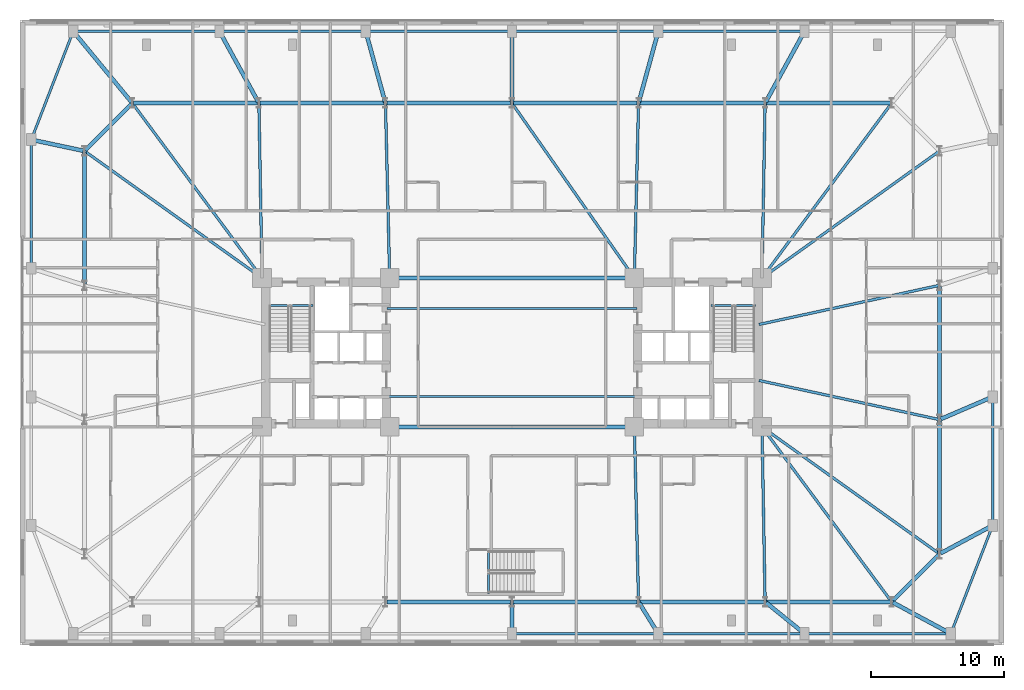
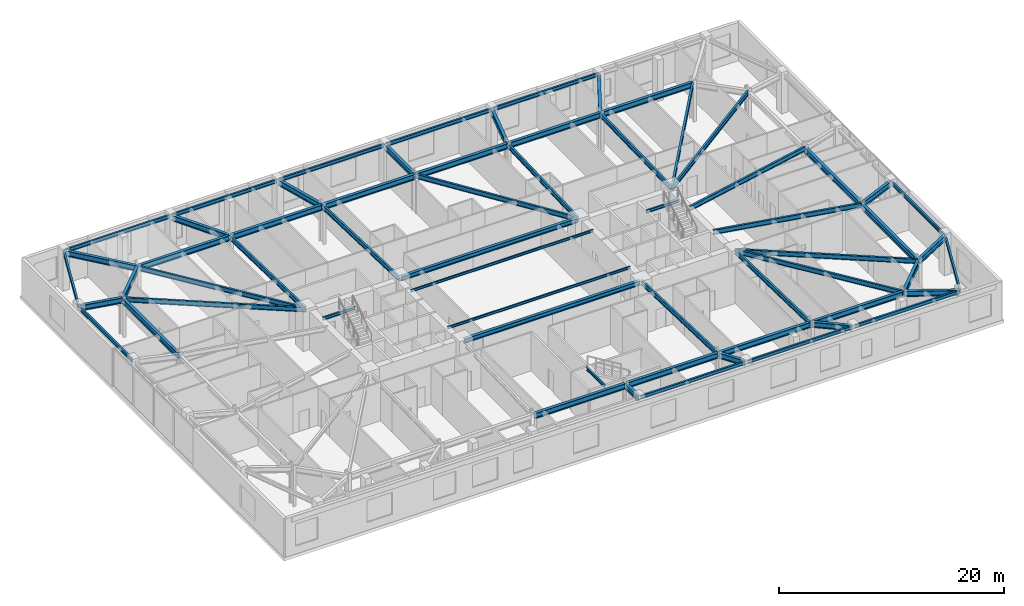
# One storey, part 8 of 21: 62 beams.
"""IFC4 building model written with IfcOpenShell, lengths in metres."""

from ifc_helpers import new_model, si_unit, direction, frame, origin, origin_2d, place, context, subcontext, project, spatial, i_section, extrude, material, material_profile, profile_set, type_object, element, save


model = new_model("IFC4")

# Units and contexts
model_context = context("Model", 3, precision=1e-05, world=origin(), true_north=direction((0.0, 1.0)))
body_context = subcontext(model_context, "Body", "Model", "MODEL_VIEW")
ifc_project = project(units=[si_unit("LENGTHUNIT", "METRE"), si_unit("AREAUNIT", "SQUARE_METRE"), si_unit("VOLUMEUNIT", "CUBIC_METRE"), si_unit("PLANEANGLEUNIT", "RADIAN"), si_unit("MASSUNIT", "GRAM", prefix="KILO")], contexts=[model_context])

# Site, building, storey
site_placement = place(None, origin())
site = spatial("IfcSite", under=ifc_project, at=site_placement, CompositionType="ELEMENT")
building_placement = place(site_placement, origin())
building = spatial("IfcBuilding", under=site, at=building_placement, Name="Qobustan Lattice House", CompositionType="ELEMENT")
storey_placement = place(building_placement, frame((0.0, 0.0, 18.0)))
storey = spatial("IfcBuildingStorey", under=building, at=storey_placement, Name="L04", CompositionType="ELEMENT", Elevation=18.0)

# Beams
ifc_material_1 = material(Name="Steel S355", Category="steel")
ifc_material_profile_1 = material_profile(ifc_material_1, i_section(OverallWidth=0.300048828125, OverallDepth=0.5, WebThickness=0.014404296875, FlangeThickness=0.028076171875, FilletRadius=0.027099609375, at=origin_2d()), Name="HEB500")
ifc_profile_set_1 = profile_set([ifc_material_profile_1], Name="Steel S355")
beam_type_1 = type_object("IfcBeamType", Name="BM-CG-HEB500", PredefinedType="USERDEFINED", material=ifc_profile_set_1)
for number, where, z_axis, x_axis, name in (
    (1, (-9.050048828125, -5.60009765625, 3.919921875), (1.0, 0.0, 0.0), (0.0, 1.0, 0.0), "L04 core spine girder CG-CS"),
    (2, (-9.050048828125, 5.60009765625, 3.919921875), (1.0, 0.0, 0.0), (0.0, 1.0, 0.0), "L04 core spine girder CG-CN"),
):
    element("IfcBeam", number, at=place(storey_placement, frame(where, z_axis=z_axis, x_axis=x_axis)), inside=storey, type_object=beam_type_1, Name=name, ObjectType="GIRDER", PredefinedType="USERDEFINED", context=body_context, shape_type="SweptSolid", body=[
        extrude(i_section(OverallWidth=0.300048828125, OverallDepth=0.5, WebThickness=0.014404296875, FlangeThickness=0.028076171875, FilletRadius=0.027099609375, at=origin_2d()), origin(), (0.0, 0.0, 1.0), 18.10009765625),
    ])
ifc_material_2 = material(Name="Steel S355", Category="steel")
ifc_material_profile_2 = material_profile(ifc_material_2, i_section(OverallWidth=0.199951171875, OverallDepth=0.5, WebThickness=0.01025390625, FlangeThickness=0.01611328125, FilletRadius=0.02099609375, at=origin_2d()), Name="IPE500")
ifc_profile_set_2 = profile_set([ifc_material_profile_2], Name="Steel S355")
beam_type_2 = type_object("IfcBeamType", Name="BM-FLG-IPE500", PredefinedType="USERDEFINED", material=ifc_profile_set_2)
beam_1_placement = place(storey_placement, frame((9.51611328125, -18.72509765625, 3.919921875), z_axis=(-0.024071445657, 0.999710240772, 0.0), x_axis=(-0.999710240772, -0.024071445657, 0.0)))
element("IfcBeam", 3, at=beam_1_placement, inside=storey, type_object=beam_type_2, Name="L04 primary floor girder RAD-S5", ObjectType="GIRDER", PredefinedType="USERDEFINED", context=body_context, shape_type="SweptSolid", body=[
    extrude(i_section(OverallWidth=0.199951171875, OverallDepth=0.5, WebThickness=0.01025390625, FlangeThickness=0.01611328125, FilletRadius=0.02099609375, at=origin_2d()), origin(), (0.0, 0.0, 1.0), 13.10400390625),
])
beam_2_placement = place(storey_placement, frame((19.032958984375, -18.72509765625, 3.919921875), z_axis=(-0.017757831607, 0.999842317276, 0.0), x_axis=(-0.999842317276, -0.017757831607, 0.0)))
element("IfcBeam", 4, at=beam_2_placement, inside=storey, type_object=beam_type_2, Name="L04 primary floor girder RAD-S6", ObjectType="GIRDER", PredefinedType="USERDEFINED", context=body_context, shape_type="SweptSolid", body=[
    extrude(i_section(OverallWidth=0.199951171875, OverallDepth=0.5, WebThickness=0.01025390625, FlangeThickness=0.01611328125, FilletRadius=0.02099609375, at=origin_2d()), origin(), (0.0, 0.0, 1.0), 13.10205078125),
])
for number, where, z_axis, x_axis, name in (
    (5, (28.53515625, -18.72998046875, 3.919921875), (-0.5955916815, 0.803287338956, 0.0), (-0.803287338956, -0.5955916815, 0.0), "L04 primary floor girder RAD-S7E"),
    (6, (-28.53515625, 18.72998046875, 3.919921875), (0.5955916815, -0.803287338956, 0.0), (0.803287338956, 0.5955916815, 0.0), "L04 primary floor girder RAD-N7W"),
):
    element("IfcBeam", number, at=place(storey_placement, frame(where, z_axis=z_axis, x_axis=x_axis)), inside=storey, type_object=beam_type_2, Name=name, ObjectType="GIRDER", PredefinedType="USERDEFINED", context=body_context, shape_type="SweptSolid", body=[
        extrude(i_section(OverallWidth=0.199951171875, OverallDepth=0.5, WebThickness=0.01025390625, FlangeThickness=0.01611328125, FilletRadius=0.02099609375, at=origin_2d()), origin(), (0.0, 0.0, 1.0), 16.3203125),
    ])
beam_3_placement = place(storey_placement, frame((-19.032958984375, 18.72509765625, 3.919921875), z_axis=(0.017757831607, -0.999842317276, 0.0), x_axis=(0.999842317276, 0.017757831607, 0.0)))
element("IfcBeam", 7, at=beam_3_placement, inside=storey, type_object=beam_type_2, Name="L04 primary floor girder RAD-N6", ObjectType="GIRDER", PredefinedType="USERDEFINED", context=body_context, shape_type="SweptSolid", body=[
    extrude(i_section(OverallWidth=0.199951171875, OverallDepth=0.5, WebThickness=0.01025390625, FlangeThickness=0.01611328125, FilletRadius=0.02099609375, at=origin_2d()), origin(), (0.0, 0.0, 1.0), 13.10205078125),
])
beam_4_placement = place(storey_placement, frame((-9.51611328125, 18.72509765625, 3.919921875), z_axis=(0.024071445657, -0.999710240772, 0.0), x_axis=(0.999710240772, 0.024071445657, 0.0)))
element("IfcBeam", 8, at=beam_4_placement, inside=storey, type_object=beam_type_2, Name="L04 primary floor girder RAD-N5", ObjectType="GIRDER", PredefinedType="USERDEFINED", context=body_context, shape_type="SweptSolid", body=[
    extrude(i_section(OverallWidth=0.199951171875, OverallDepth=0.5, WebThickness=0.01025390625, FlangeThickness=0.01611328125, FilletRadius=0.02099609375, at=origin_2d()), origin(), (0.0, 0.0, 1.0), 13.10400390625),
])
beam_5_placement = place(storey_placement, frame((0.014404296875, 18.7294921875, 3.919921875), z_axis=(0.57325954206, -0.819373844736, 0.0), x_axis=(0.819373844736, 0.57325954206, 0.0)))
element("IfcBeam", 9, at=beam_5_placement, inside=storey, type_object=beam_type_2, Name="L04 primary floor girder RAD-N4", ObjectType="GIRDER", PredefinedType="USERDEFINED", context=body_context, shape_type="SweptSolid", body=[
    extrude(i_section(OverallWidth=0.199951171875, OverallDepth=0.5, WebThickness=0.01025390625, FlangeThickness=0.01611328125, FilletRadius=0.02099609375, at=origin_2d()), origin(), (0.0, 0.0, 1.0), 15.998779296875),
])
beam_6_placement = place(storey_placement, frame((9.51611328125, 18.72509765625, 3.919921875), z_axis=(-0.024071445657, -0.999710240772, 0.0), x_axis=(0.999710240772, -0.024071445657, 0.0)))
element("IfcBeam", 10, at=beam_6_placement, inside=storey, type_object=beam_type_2, Name="L04 primary floor girder RAD-N3", ObjectType="GIRDER", PredefinedType="USERDEFINED", context=body_context, shape_type="SweptSolid", body=[
    extrude(i_section(OverallWidth=0.199951171875, OverallDepth=0.5, WebThickness=0.01025390625, FlangeThickness=0.01611328125, FilletRadius=0.02099609375, at=origin_2d()), origin(), (0.0, 0.0, 1.0), 13.10400390625),
])
beam_7_placement = place(storey_placement, frame((19.032958984375, 18.72509765625, 3.919921875), z_axis=(-0.017757831607, -0.999842317276, 0.0), x_axis=(0.999842317276, -0.017757831607, 0.0)))
element("IfcBeam", 11, at=beam_7_placement, inside=storey, type_object=beam_type_2, Name="L04 primary floor girder RAD-N2", ObjectType="GIRDER", PredefinedType="USERDEFINED", context=body_context, shape_type="SweptSolid", body=[
    extrude(i_section(OverallWidth=0.199951171875, OverallDepth=0.5, WebThickness=0.01025390625, FlangeThickness=0.01611328125, FilletRadius=0.02099609375, at=origin_2d()), origin(), (0.0, 0.0, 1.0), 13.10205078125),
])
beam_8_placement = place(storey_placement, frame((28.53515625, 18.72998046875, 3.919921875), z_axis=(-0.5955916815, -0.803287338956, 0.0), x_axis=(0.803287338956, -0.5955916815, 0.0)))
element("IfcBeam", 12, at=beam_8_placement, inside=storey, type_object=beam_type_2, Name="L04 primary floor girder RAD-N1E", ObjectType="GIRDER", PredefinedType="USERDEFINED", context=body_context, shape_type="SweptSolid", body=[
    extrude(i_section(OverallWidth=0.199951171875, OverallDepth=0.5, WebThickness=0.01025390625, FlangeThickness=0.01611328125, FilletRadius=0.02099609375, at=origin_2d()), origin(), (0.0, 0.0, 1.0), 16.3203125),
])
for number, where, z_axis, x_axis, name in (
    (13, (-32.129638671875, 15.135498046875, 3.919921875), (0.813318954893, -0.581818079481, 0.0), (0.581818079481, 0.813318954893, 0.0), "L04 primary floor girder RAD-W1"),
    (14, (32.129638671875, 15.135498046875, 3.919921875), (-0.813318954893, -0.581818079481, 0.0), (0.581818079481, -0.813318954893, 0.0), "L04 primary floor girder RAD-E4"),
):
    element("IfcBeam", number, at=place(storey_placement, frame(where, z_axis=z_axis, x_axis=x_axis)), inside=storey, type_object=beam_type_2, Name=name, ObjectType="GIRDER", PredefinedType="USERDEFINED", context=body_context, shape_type="SweptSolid", body=[
        extrude(i_section(OverallWidth=0.199951171875, OverallDepth=0.5, WebThickness=0.01025390625, FlangeThickness=0.01611328125, FilletRadius=0.02099609375, at=origin_2d()), origin(), (0.0, 0.0, 1.0), 16.3642578125),
    ])
for number, where, z_axis, x_axis, name in (
    (15, (32.12548828125, 5.044677734375, 3.919921875), (-0.97727240275, -0.211987383643, 0.0), (0.211987383643, -0.97727240275, 0.0), "L04 primary floor girder RAD-E3"),
    (16, (32.12548828125, -5.044677734375, 3.919921875), (-0.97727240275, 0.211987383643, 0.0), (-0.211987383643, -0.97727240275, 0.0), "L04 primary floor girder RAD-E2"),
):
    element("IfcBeam", number, at=place(storey_placement, frame(where, z_axis=z_axis, x_axis=x_axis)), inside=storey, type_object=beam_type_2, Name=name, ObjectType="GIRDER", PredefinedType="USERDEFINED", context=body_context, shape_type="SweptSolid", body=[
        extrude(i_section(OverallWidth=0.199951171875, OverallDepth=0.5, WebThickness=0.01025390625, FlangeThickness=0.01611328125, FilletRadius=0.02099609375, at=origin_2d()), origin(), (0.0, 0.0, 1.0), 13.8662109375),
    ])
beam_9_placement = place(storey_placement, frame((32.129638671875, -15.135498046875, 3.919921875), z_axis=(-0.813318954893, 0.581818079481, 0.0), x_axis=(-0.581818079481, -0.813318954893, 0.0)))
element("IfcBeam", 17, at=beam_9_placement, inside=storey, type_object=beam_type_2, Name="L04 primary floor girder RAD-E1", ObjectType="GIRDER", PredefinedType="USERDEFINED", context=body_context, shape_type="SweptSolid", body=[
    extrude(i_section(OverallWidth=0.199951171875, OverallDepth=0.5, WebThickness=0.01025390625, FlangeThickness=0.01611328125, FilletRadius=0.02099609375, at=origin_2d()), origin(), (0.0, 0.0, 1.0), 16.3642578125),
])
ifc_material_3 = material(Name="Steel S355", Category="steel")
ifc_material_profile_3 = material_profile(ifc_material_3, i_section(OverallWidth=0.135009765625, OverallDepth=0.27001953125, WebThickness=0.006591796875, FlangeThickness=0.01025390625, FilletRadius=0.014892578125, at=origin_2d()), Name="IPE270")
ifc_profile_set_3 = profile_set([ifc_material_profile_3], Name="Steel S355")
beam_type_3 = type_object("IfcBeamType", Name="BM-JST-IPE270", PredefinedType="JOIST", material=ifc_profile_set_3)
for number, where, z_axis, x_axis, name in (
    (18, (-9.39990234375, -3.300048828125, 4.034912109375), (1.0, 0.0, 0.0), (0.0, 1.0, 0.0), "L04 central span floor joist 1"),
    (19, (-9.39990234375, 3.300048828125, 4.034912109375), (1.0, 0.0, 0.0), (0.0, 1.0, 0.0), "L04 central span floor joist 2"),
):
    element("IfcBeam", number, at=place(storey_placement, frame(where, z_axis=z_axis, x_axis=x_axis)), inside=storey, type_object=beam_type_3, Name=name, PredefinedType="JOIST", context=body_context, shape_type="SweptSolid", body=[
        extrude(i_section(OverallWidth=0.135009765625, OverallDepth=0.27001953125, WebThickness=0.006591796875, FlangeThickness=0.01025390625, FilletRadius=0.014892578125, at=origin_2d()), origin(), (0.0, 0.0, 1.0), 18.7998046875),
    ])
ifc_material_4 = material(Name="Steel S355", Category="steel")
ifc_material_profile_4 = material_profile(ifc_material_4, i_section(OverallWidth=0.300048828125, OverallDepth=0.60009765625, WebThickness=0.015380859375, FlangeThickness=0.030029296875, FilletRadius=0.027099609375, at=origin_2d()), Name="HEB600")
ifc_profile_set_4 = profile_set([ifc_material_profile_4], Name="Steel S355")
beam_type_4 = type_object("IfcBeamType", Name="BM-POD-HEB600", PredefinedType="USERDEFINED", material=ifc_profile_set_4)
for number, where, z_axis, x_axis, name in (
    (20, (-9.416748046875, -18.75, 3.8701171875), (1.0, 0.0, 0.0), (0.0, 1.0, 0.0), "L04 tower base ring girder S3-S4"),
    (21, (0.10009765625, -18.75, 3.8701171875), (1.0, 0.0, 0.0), (0.0, 1.0, 0.0), "L04 tower base ring girder S4-S5"),
    (22, (9.61669921875, -18.75, 3.8701171875), (1.0, 0.0, 0.0), (0.0, 1.0, 0.0), "L04 tower base ring girder S5-S6"),
    (23, (19.13330078125, -18.75, 3.8701171875), (1.0, 0.0, 0.0), (0.0, 1.0, 0.0), "L04 tower base ring girder S6-S7"),
):
    element("IfcBeam", number, at=place(storey_placement, frame(where, z_axis=z_axis, x_axis=x_axis)), inside=storey, type_object=beam_type_4, Name=name, ObjectType="GIRDER", PredefinedType="USERDEFINED", context=body_context, shape_type="SweptSolid", body=[
        extrude(i_section(OverallWidth=0.300048828125, OverallDepth=0.60009765625, WebThickness=0.015380859375, FlangeThickness=0.030029296875, FilletRadius=0.027099609375, at=origin_2d()), origin(), (0.0, 0.0, 1.0), 9.316650390625),
    ])
beam_10_placement = place(storey_placement, frame((28.62060546875, -18.67919921875, 3.8701171875), z_axis=(0.70713173775, 0.707081823743, 0.0), x_axis=(-0.707081823743, 0.70713173775, 0.0)))
element("IfcBeam", 24, at=beam_10_placement, inside=storey, type_object=beam_type_4, Name="L04 tower base ring girder S7-E1", ObjectType="GIRDER", PredefinedType="USERDEFINED", context=body_context, shape_type="SweptSolid", body=[
    extrude(i_section(OverallWidth=0.300048828125, OverallDepth=0.60009765625, WebThickness=0.015380859375, FlangeThickness=0.030029296875, FilletRadius=0.027099609375, at=origin_2d()), origin(), (0.0, 0.0, 1.0), 4.89111328125),
])
beam_11_placement = place(storey_placement, frame((32.14990234375, -15.050048828125, 3.8701171875), z_axis=(0.0, 1.0, 0.0), x_axis=(-1.0, 0.0, 0.0)))
element("IfcBeam", 25, at=beam_11_placement, inside=storey, type_object=beam_type_4, Name="L04 tower base ring girder E1-E2", ObjectType="GIRDER", PredefinedType="USERDEFINED", context=body_context, shape_type="SweptSolid", body=[
    extrude(i_section(OverallWidth=0.300048828125, OverallDepth=0.60009765625, WebThickness=0.015380859375, FlangeThickness=0.030029296875, FilletRadius=0.027099609375, at=origin_2d()), origin(), (0.0, 0.0, 1.0), 9.900146484375),
])
beam_12_placement = place(storey_placement, frame((32.14990234375, -4.949951171875, 3.8701171875), z_axis=(0.0, 1.0, 0.0), x_axis=(-1.0, 0.0, 0.0)))
element("IfcBeam", 26, at=beam_12_placement, inside=storey, type_object=beam_type_4, Name="L04 tower base ring girder E2-E3", ObjectType="GIRDER", PredefinedType="USERDEFINED", context=body_context, shape_type="SweptSolid", body=[
    extrude(i_section(OverallWidth=0.300048828125, OverallDepth=0.60009765625, WebThickness=0.015380859375, FlangeThickness=0.030029296875, FilletRadius=0.027099609375, at=origin_2d()), origin(), (0.0, 0.0, 1.0), 9.89990234375),
])
for number, where, z_axis, x_axis, name in (
    (27, (28.449951171875, 18.75, 3.8701171875), (-1.0, 0.0, 0.0), (0.0, -1.0, 0.0), "L04 tower base ring girder N1-N2"),
    (28, (18.933349609375, 18.75, 3.8701171875), (-1.0, 0.0, 0.0), (0.0, -1.0, 0.0), "L04 tower base ring girder N2-N3"),
    (29, (9.416748046875, 18.75, 3.8701171875), (-1.0, 0.0, 0.0), (0.0, -1.0, 0.0), "L04 tower base ring girder N3-N4"),
    (30, (-0.10009765625, 18.75, 3.8701171875), (-1.0, 0.0, 0.0), (0.0, -1.0, 0.0), "L04 tower base ring girder N4-N5"),
    (31, (-9.61669921875, 18.75, 3.8701171875), (-1.0, 0.0, 0.0), (0.0, -1.0, 0.0), "L04 tower base ring girder N5-N6"),
    (32, (-19.13330078125, 18.75, 3.8701171875), (-1.0, 0.0, 0.0), (0.0, -1.0, 0.0), "L04 tower base ring girder N6-N7"),
):
    element("IfcBeam", number, at=place(storey_placement, frame(where, z_axis=z_axis, x_axis=x_axis)), inside=storey, type_object=beam_type_4, Name=name, ObjectType="GIRDER", PredefinedType="USERDEFINED", context=body_context, shape_type="SweptSolid", body=[
        extrude(i_section(OverallWidth=0.300048828125, OverallDepth=0.60009765625, WebThickness=0.015380859375, FlangeThickness=0.030029296875, FilletRadius=0.027099609375, at=origin_2d()), origin(), (0.0, 0.0, 1.0), 9.316650390625),
    ])
beam_13_placement = place(storey_placement, frame((-28.62060546875, 18.67919921875, 3.8701171875), z_axis=(-0.70713173775, -0.707081823743, 0.0), x_axis=(0.707081823743, -0.70713173775, 0.0)))
element("IfcBeam", 33, at=beam_13_placement, inside=storey, type_object=beam_type_4, Name="L04 tower base ring girder N7-W1", ObjectType="GIRDER", PredefinedType="USERDEFINED", context=body_context, shape_type="SweptSolid", body=[
    extrude(i_section(OverallWidth=0.300048828125, OverallDepth=0.60009765625, WebThickness=0.015380859375, FlangeThickness=0.030029296875, FilletRadius=0.027099609375, at=origin_2d()), origin(), (0.0, 0.0, 1.0), 4.89111328125),
])
beam_14_placement = place(storey_placement, frame((-32.14990234375, 15.050048828125, 3.8701171875), z_axis=(0.0, -1.0, 0.0), x_axis=(1.0, 0.0, 0.0)))
element("IfcBeam", 34, at=beam_14_placement, inside=storey, type_object=beam_type_4, Name="L04 tower base ring girder W1-W2", ObjectType="GIRDER", PredefinedType="USERDEFINED", context=body_context, shape_type="SweptSolid", body=[
    extrude(i_section(OverallWidth=0.300048828125, OverallDepth=0.60009765625, WebThickness=0.015380859375, FlangeThickness=0.030029296875, FilletRadius=0.027099609375, at=origin_2d()), origin(), (0.0, 0.0, 1.0), 9.900146484375),
])
beam_15_placement = place(storey_placement, frame((-32.923583984375, 24.057373046875, 3.8701171875), z_axis=(0.635954703728, -0.771726385973, 0.0), x_axis=(0.771726385973, 0.635954703728, 0.0)))
element("IfcBeam", 35, at=beam_15_placement, inside=storey, type_object=beam_type_4, Name="L04 podium radial girder PN1", ObjectType="GIRDER", PredefinedType="USERDEFINED", context=body_context, shape_type="SweptSolid", body=[
    extrude(i_section(OverallWidth=0.300048828125, OverallDepth=0.60009765625, WebThickness=0.015380859375, FlangeThickness=0.030029296875, FilletRadius=0.027099609375, at=origin_2d()), origin(), (0.0, 0.0, 1.0), 6.77734375),
])
beam_16_placement = place(storey_placement, frame((-21.942138671875, 24.044921875, 3.8701171875), z_axis=(0.481478583255, -0.876457856298, 0.0), x_axis=(0.876457856298, 0.481478583255, 0.0)))
element("IfcBeam", 36, at=beam_16_placement, inside=storey, type_object=beam_type_4, Name="L04 podium radial girder PN2", ObjectType="GIRDER", PredefinedType="USERDEFINED", context=body_context, shape_type="SweptSolid", body=[
    extrude(i_section(OverallWidth=0.300048828125, OverallDepth=0.60009765625, WebThickness=0.015380859375, FlangeThickness=0.030029296875, FilletRadius=0.027099609375, at=origin_2d()), origin(), (0.0, 0.0, 1.0), 5.941162109375),
])
beam_17_placement = place(storey_placement, frame((-10.96826171875, 24.0341796875, 3.8701171875), z_axis=(0.264883295611, -0.964280477717, 0.0), x_axis=(0.964280477717, 0.264883295611, 0.0)))
element("IfcBeam", 37, at=beam_17_placement, inside=storey, type_object=beam_type_4, Name="L04 podium radial girder PN3", ObjectType="GIRDER", PredefinedType="USERDEFINED", context=body_context, shape_type="SweptSolid", body=[
    extrude(i_section(OverallWidth=0.300048828125, OverallDepth=0.60009765625, WebThickness=0.015380859375, FlangeThickness=0.030029296875, FilletRadius=0.027099609375, at=origin_2d()), origin(), (0.0, 0.0, 1.0), 5.3798828125),
])
beam_18_placement = place(storey_placement, frame((0.0, -21.030029296875, 3.8701171875), z_axis=(0.0, 1.0, 0.0), x_axis=(-1.0, 0.0, 0.0)))
element("IfcBeam", 38, at=beam_18_placement, inside=storey, type_object=beam_type_4, Name="L04 podium radial girder PS4", ObjectType="GIRDER", PredefinedType="USERDEFINED", context=body_context, shape_type="SweptSolid", body=[
    extrude(i_section(OverallWidth=0.300048828125, OverallDepth=0.60009765625, WebThickness=0.015380859375, FlangeThickness=0.030029296875, FilletRadius=0.027099609375, at=origin_2d()), origin(), (0.0, 0.0, 1.0), 2.179931640625),
])
beam_19_placement = place(storey_placement, frame((0.0, 24.030029296875, 3.8701171875), z_axis=(0.0, -1.0, 0.0), x_axis=(1.0, 0.0, 0.0)))
element("IfcBeam", 39, at=beam_19_placement, inside=storey, type_object=beam_type_4, Name="L04 podium radial girder PN4", ObjectType="GIRDER", PredefinedType="USERDEFINED", context=body_context, shape_type="SweptSolid", body=[
    extrude(i_section(OverallWidth=0.300048828125, OverallDepth=0.60009765625, WebThickness=0.015380859375, FlangeThickness=0.030029296875, FilletRadius=0.027099609375, at=origin_2d()), origin(), (0.0, 0.0, 1.0), 5.179931640625),
])
beam_20_placement = place(storey_placement, frame((10.93701171875, -21.0478515625, 3.8701171875), z_axis=(-0.525782588011, 0.850618992349, 0.0), x_axis=(-0.850618992349, -0.525782588011, 0.0)))
element("IfcBeam", 40, at=beam_20_placement, inside=storey, type_object=beam_type_4, Name="L04 podium radial girder PS5", ObjectType="GIRDER", PredefinedType="USERDEFINED", context=body_context, shape_type="SweptSolid", body=[
    extrude(i_section(OverallWidth=0.300048828125, OverallDepth=0.60009765625, WebThickness=0.015380859375, FlangeThickness=0.030029296875, FilletRadius=0.027099609375, at=origin_2d()), origin(), (0.0, 0.0, 1.0), 2.601318359375),
])
beam_21_placement = place(storey_placement, frame((10.96826171875, 24.0341796875, 3.8701171875), z_axis=(-0.264883295611, -0.964280477717, 0.0), x_axis=(0.964280477717, -0.264883295611, 0.0)))
element("IfcBeam", 41, at=beam_21_placement, inside=storey, type_object=beam_type_4, Name="L04 podium radial girder PN5", ObjectType="GIRDER", PredefinedType="USERDEFINED", context=body_context, shape_type="SweptSolid", body=[
    extrude(i_section(OverallWidth=0.300048828125, OverallDepth=0.60009765625, WebThickness=0.015380859375, FlangeThickness=0.030029296875, FilletRadius=0.027099609375, at=origin_2d()), origin(), (0.0, 0.0, 1.0), 5.3798828125),
])
beam_22_placement = place(storey_placement, frame((21.90673828125, -21.074462890625, 3.8701171875), z_axis=(-0.777472502595, 0.62891693228, 0.0), x_axis=(-0.62891693228, -0.777472502595, 0.0)))
element("IfcBeam", 42, at=beam_22_placement, inside=storey, type_object=beam_type_4, Name="L04 podium radial girder PS6", ObjectType="GIRDER", PredefinedType="USERDEFINED", context=body_context, shape_type="SweptSolid", body=[
    extrude(i_section(OverallWidth=0.300048828125, OverallDepth=0.60009765625, WebThickness=0.015380859375, FlangeThickness=0.030029296875, FilletRadius=0.027099609375, at=origin_2d()), origin(), (0.0, 0.0, 1.0), 3.595703125),
])
beam_23_placement = place(storey_placement, frame((21.942138671875, 24.044921875, 3.8701171875), z_axis=(-0.481478583255, -0.876457856298, 0.0), x_axis=(0.876457856298, -0.481478583255, 0.0)))
element("IfcBeam", 43, at=beam_23_placement, inside=storey, type_object=beam_type_4, Name="L04 podium radial girder PN6", ObjectType="GIRDER", PredefinedType="USERDEFINED", context=body_context, shape_type="SweptSolid", body=[
    extrude(i_section(OverallWidth=0.300048828125, OverallDepth=0.60009765625, WebThickness=0.015380859375, FlangeThickness=0.030029296875, FilletRadius=0.027099609375, at=origin_2d()), origin(), (0.0, 0.0, 1.0), 5.941162109375),
])
beam_24_placement = place(storey_placement, frame((32.894287109375, -21.093017578125, 3.8701171875), z_axis=(-0.88016615165, 0.474665719732, 0.0), x_axis=(-0.474665719732, -0.88016615165, 0.0)))
element("IfcBeam", 44, at=beam_24_placement, inside=storey, type_object=beam_type_4, Name="L04 podium radial girder PS7", ObjectType="GIRDER", PredefinedType="USERDEFINED", context=body_context, shape_type="SweptSolid", body=[
    extrude(i_section(OverallWidth=0.300048828125, OverallDepth=0.60009765625, WebThickness=0.015380859375, FlangeThickness=0.030029296875, FilletRadius=0.027099609375, at=origin_2d()), origin(), (0.0, 0.0, 1.0), 4.8359375),
])
beam_25_placement = place(storey_placement, frame((36.044189453125, -13.056884765625, 3.8701171875), z_axis=(-0.880815561441, -0.473459551307, 0.0), x_axis=(0.473459551307, -0.880815561441, 0.0)))
element("IfcBeam", 45, at=beam_25_placement, inside=storey, type_object=beam_type_4, Name="L04 podium radial girder PE1", ObjectType="GIRDER", PredefinedType="USERDEFINED", context=body_context, shape_type="SweptSolid", body=[
    extrude(i_section(OverallWidth=0.300048828125, OverallDepth=0.60009765625, WebThickness=0.015380859375, FlangeThickness=0.030029296875, FilletRadius=0.027099609375, at=origin_2d()), origin(), (0.0, 0.0, 1.0), 4.3212890625),
])
beam_26_placement = place(storey_placement, frame((36.039794921875, -3.380615234375, 3.8701171875), z_axis=(-0.918949362679, -0.394375542893, 0.0), x_axis=(0.394375542893, -0.918949362679, 0.0)))
element("IfcBeam", 46, at=beam_26_placement, inside=storey, type_object=beam_type_4, Name="L04 podium radial girder PE2", ObjectType="GIRDER", PredefinedType="USERDEFINED", context=body_context, shape_type="SweptSolid", body=[
    extrude(i_section(OverallWidth=0.300048828125, OverallDepth=0.60009765625, WebThickness=0.015380859375, FlangeThickness=0.030029296875, FilletRadius=0.027099609375, at=origin_2d()), origin(), (0.0, 0.0, 1.0), 4.1328125),
])
beam_27_placement = place(storey_placement, frame((-36.03271484375, 15.97509765625, 3.8701171875), z_axis=(0.978163821655, -0.207835362738, 0.0), x_axis=(0.207835362738, 0.978163821655, 0.0)))
element("IfcBeam", 47, at=beam_27_placement, inside=storey, type_object=beam_type_4, Name="L04 podium radial girder PW4", ObjectType="GIRDER", PredefinedType="USERDEFINED", context=body_context, shape_type="SweptSolid", body=[
    extrude(i_section(OverallWidth=0.300048828125, OverallDepth=0.60009765625, WebThickness=0.015380859375, FlangeThickness=0.030029296875, FilletRadius=0.027099609375, at=origin_2d()), origin(), (0.0, 0.0, 1.0), 3.869384765625),
])
ifc_material_5 = material(Name="Steel S355", Category="steel")
ifc_material_profile_5 = material_profile(ifc_material_5, i_section(OverallWidth=0.159912109375, OverallDepth=0.330078125, WebThickness=0.007568359375, FlangeThickness=0.011474609375, FilletRadius=0.01806640625, at=origin_2d()), Name="IPE330")
ifc_profile_set_5 = profile_set([ifc_material_profile_5], Name="Steel S355")
beam_type_5 = type_object("IfcBeamType", Name="BM-SPD-IPE330", PredefinedType="SPANDREL", material=ifc_profile_set_5)
for number, where, z_axis, x_axis, name in (
    (48, (-18.300048828125, 3.52001953125, 4.0048828125), (1.0, 0.0, 0.0), (0.0, 1.0, 0.0), "L04 west stair landing trimmer beam"),
    (49, (14.949951171875, 3.52001953125, 4.0048828125), (1.0, 0.0, 0.0), (0.0, 1.0, 0.0), "L04 east stair landing trimmer beam"),
):
    element("IfcBeam", number, at=place(storey_placement, frame(where, z_axis=z_axis, x_axis=x_axis)), inside=storey, type_object=beam_type_5, Name=name, PredefinedType="SPANDREL", context=body_context, shape_type="SweptSolid", body=[
        extrude(i_section(OverallWidth=0.159912109375, OverallDepth=0.330078125, WebThickness=0.007568359375, FlangeThickness=0.011474609375, FilletRadius=0.01806640625, at=origin_2d()), origin(), (0.0, 0.0, 1.0), 3.35009765625),
    ])
beam_28_placement = place(storey_placement, frame((-1.780029296875, -18.139892578125, 4.0048828125), z_axis=(0.0, 1.0, 0.0), x_axis=(-1.0, 0.0, 0.0)))
element("IfcBeam", 50, at=beam_28_placement, inside=storey, type_object=beam_type_5, Name="L04 podium stair landing trimmer beam", PredefinedType="SPANDREL", context=body_context, shape_type="SweptSolid", body=[
    extrude(i_section(OverallWidth=0.159912109375, OverallDepth=0.330078125, WebThickness=0.007568359375, FlangeThickness=0.011474609375, FilletRadius=0.01806640625, at=origin_2d()), origin(), (0.0, 0.0, 1.0), 3.27978515625),
])
ifc_material_6 = material(Name="Steel S355", Category="steel")
ifc_material_profile_6 = material_profile(ifc_material_6, i_section(OverallWidth=0.179931640625, OverallDepth=0.39990234375, WebThickness=0.008544921875, FlangeThickness=0.013427734375, FilletRadius=0.02099609375, at=origin_2d()), Name="IPE400")
ifc_profile_set_6 = profile_set([ifc_material_profile_6], Name="Steel S355")
beam_type_6 = type_object("IfcBeamType", Name="BM-SPD-IPE400", PredefinedType="SPANDREL", material=ifc_profile_set_6)
for number, where, z_axis, x_axis, name in (
    (51, (0.1201171875, -21.14990234375, 3.969970703125), (1.0, 0.0, 0.0), (0.0, 1.0, 0.0), "L04 podium spandrel PS4-PS5"),
    (52, (11.1201171875, -21.14990234375, 3.969970703125), (1.0, 0.0, 0.0), (0.0, 1.0, 0.0), "L04 podium spandrel PS5-PS6"),
    (53, (22.1201171875, -21.14990234375, 3.969970703125), (1.0, 0.0, 0.0), (0.0, 1.0, 0.0), "L04 podium spandrel PS6-PS7"),
    (54, (-32.8798828125, 24.14990234375, 3.969970703125), (1.0, 0.0, 0.0), (0.0, 1.0, 0.0), "L04 podium spandrel PN1-PN2"),
    (55, (-21.8798828125, 24.14990234375, 3.969970703125), (1.0, 0.0, 0.0), (0.0, 1.0, 0.0), "L04 podium spandrel PN2-PN3"),
    (56, (-10.8798828125, 24.14990234375, 3.969970703125), (1.0, 0.0, 0.0), (0.0, 1.0, 0.0), "L04 podium spandrel PN3-PN4"),
    (57, (0.1201171875, 24.14990234375, 3.969970703125), (1.0, 0.0, 0.0), (0.0, 1.0, 0.0), "L04 podium spandrel PN4-PN5"),
    (58, (11.1201171875, 24.14990234375, 3.969970703125), (1.0, 0.0, 0.0), (0.0, 1.0, 0.0), "L04 podium spandrel PN5-PN6"),
):
    element("IfcBeam", number, at=place(storey_placement, frame(where, z_axis=z_axis, x_axis=x_axis)), inside=storey, type_object=beam_type_6, Name=name, PredefinedType="SPANDREL", context=body_context, shape_type="SweptSolid", body=[
        extrude(i_section(OverallWidth=0.179931640625, OverallDepth=0.39990234375, WebThickness=0.008544921875, FlangeThickness=0.013427734375, FilletRadius=0.02099609375, at=origin_2d()), origin(), (0.0, 0.0, 1.0), 10.759765625),
    ])
beam_29_placement = place(storey_placement, frame((-36.14990234375, 6.453369140625, 3.969970703125), z_axis=(0.0, 1.0, 0.0), x_axis=(-1.0, 0.0, 0.0)))
element("IfcBeam", 59, at=beam_29_placement, inside=storey, type_object=beam_type_6, Name="L04 podium spandrel PW3-PW4", PredefinedType="SPANDREL", context=body_context, shape_type="SweptSolid", body=[
    extrude(i_section(OverallWidth=0.179931640625, OverallDepth=0.39990234375, WebThickness=0.008544921875, FlangeThickness=0.013427734375, FilletRadius=0.02099609375, at=origin_2d()), origin(), (0.0, 0.0, 1.0), 9.4267578125),
])
beam_30_placement = place(storey_placement, frame((36.14990234375, -12.8798828125, 3.969970703125), z_axis=(0.0, 1.0, 0.0), x_axis=(-1.0, 0.0, 0.0)))
element("IfcBeam", 60, at=beam_30_placement, inside=storey, type_object=beam_type_6, Name="L04 podium spandrel PE1-PE2", PredefinedType="SPANDREL", context=body_context, shape_type="SweptSolid", body=[
    extrude(i_section(OverallWidth=0.179931640625, OverallDepth=0.39990234375, WebThickness=0.008544921875, FlangeThickness=0.013427734375, FilletRadius=0.02099609375, at=origin_2d()), origin(), (0.0, 0.0, 1.0), 9.426513671875),
])
beam_31_placement = place(storey_placement, frame((-36.106689453125, 16.112060546875, 3.969970703125), z_axis=(0.360516886299, 0.932752686779, 0.0), x_axis=(-0.932752686779, 0.360516886299, 0.0)))
element("IfcBeam", 61, at=beam_31_placement, inside=storey, type_object=beam_type_6, Name="L04 podium corner tie PW4-PN1", PredefinedType="SPANDREL", context=body_context, shape_type="SweptSolid", body=[
    extrude(i_section(OverallWidth=0.179931640625, OverallDepth=0.39990234375, WebThickness=0.008544921875, FlangeThickness=0.013427734375, FilletRadius=0.02099609375, at=origin_2d()), origin(), (0.0, 0.0, 1.0), 8.49755859375),
])
beam_32_placement = place(storey_placement, frame((36.106689453125, -13.11181640625, 3.969970703125), z_axis=(-0.360507225068, -0.93275642087, 0.0), x_axis=(0.93275642087, -0.360507225068, 0.0)))
element("IfcBeam", 62, at=beam_32_placement, inside=storey, type_object=beam_type_6, Name="L04 podium corner tie PE1-PS7", PredefinedType="SPANDREL", context=body_context, shape_type="SweptSolid", body=[
    extrude(i_section(OverallWidth=0.179931640625, OverallDepth=0.39990234375, WebThickness=0.008544921875, FlangeThickness=0.013427734375, FilletRadius=0.02099609375, at=origin_2d()), origin(), (0.0, 0.0, 1.0), 8.497802734375),
])

save(model, "model.ifc")
